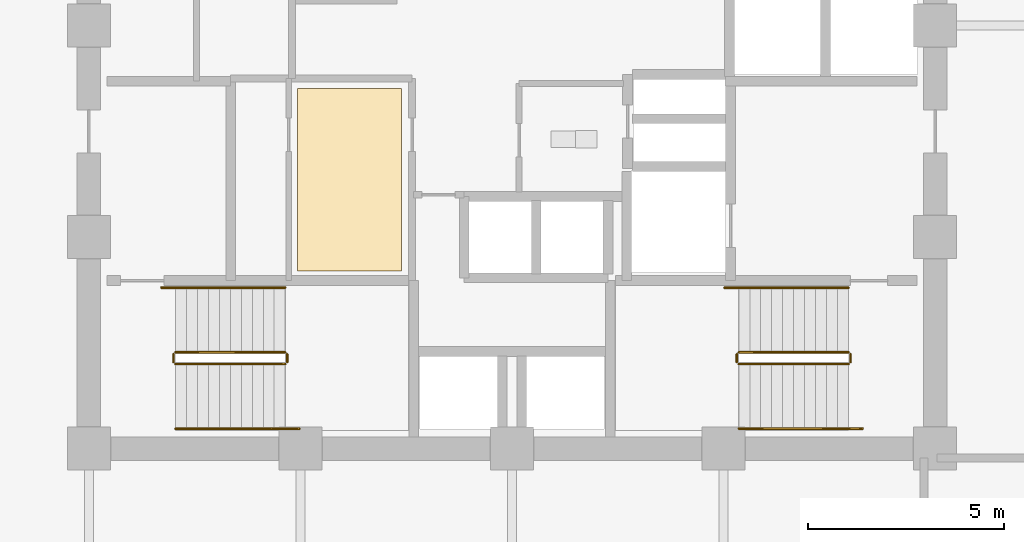
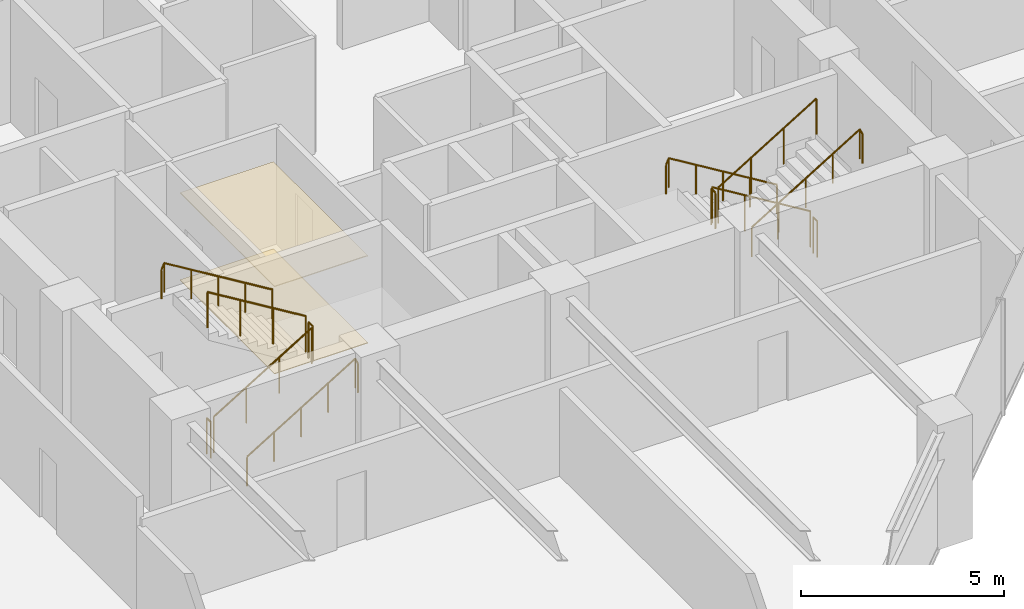
# One storey, part 26 of 29: 12 railings, 2 coverings.
"""IFC4 building model written with IfcOpenShell, lengths in metres."""

from ifc_helpers import new_model, si_unit, direction, frame, origin, origin_2d, place, context, subcontext, project, spatial, polyline, circle, outline, extrude, material, layer, layer_set, type_object, element, save


model = new_model("IFC4")

# Units and contexts
model_context = context("Model", 3, precision=1e-05, world=origin(), true_north=direction((0.0, 1.0)))
body_context = subcontext(model_context, "Body", "Model", "MODEL_VIEW")
ifc_project = project(units=[si_unit("LENGTHUNIT", "METRE"), si_unit("AREAUNIT", "SQUARE_METRE"), si_unit("VOLUMEUNIT", "CUBIC_METRE"), si_unit("PLANEANGLEUNIT", "RADIAN"), si_unit("MASSUNIT", "GRAM", prefix="KILO")], contexts=[model_context])

# Site, building, storey
site_placement = place(None, origin())
site = spatial("IfcSite", under=ifc_project, at=site_placement, CompositionType="ELEMENT")
building_placement = place(site_placement, origin())
building = spatial("IfcBuilding", under=site, at=building_placement, Name="Surkhivell Harbour Commons", CompositionType="ELEMENT")
storey_placement = place(building_placement, frame((0.0, 0.0, 158.25)))
storey = spatial("IfcBuildingStorey", under=building, at=storey_placement, Name="L41", CompositionType="ELEMENT", Elevation=158.25)

# Coverings
ifc_material_1 = material(Name="Perforated acoustic mineral-fibre ceiling tile", Category="other")
ifc_layer_1 = layer(ifc_material_1, 0.02490234375)
ifc_layer_set_1 = layer_set([ifc_layer_1], Name="Perforated acoustic mineral-fibre ceiling tile")
covering_type_1 = type_object("IfcCoveringType", Name="COV-CEIL-AC", PredefinedType="CEILING", material=ifc_layer_set_1)
covering_1_placement = place(storey_placement, frame((0.0, 0.0, 2.6240234375)))
element("IfcCovering", 1, at=covering_1_placement, inside=storey, type_object=covering_type_1, Name="L41 Suspended Acoustic Ceiling 1", PredefinedType="CEILING", context=body_context, shape_type="SweptSolid", body=[
    extrude(outline(polyline([(-5.47998046875, -6.260009765625), (-2.820068359375, -6.260009765625), (-2.820068359375, -1.60009765625), (-5.47998046875, -1.60009765625), (-5.47998046875, -6.260009765625)])), origin(), (0.0, 0.0, 1.0), 0.02490234375),
])
ifc_material_2 = material(Name="Engineered acoustic oak timber flooring", Category="wood")
ifc_layer_2 = layer(ifc_material_2, 0.02001953125)
ifc_layer_set_2 = layer_set([ifc_layer_2], Name="Engineered acoustic oak timber flooring")
covering_type_2 = type_object("IfcCoveringType", Name="COV-FLR-TIM", PredefinedType="FLOORING", material=ifc_layer_set_2)
covering_2_placement = place(storey_placement, origin())
element("IfcCovering", 2, at=covering_2_placement, inside=storey, type_object=covering_type_2, Name="L41 Interior Floor Finish 1", PredefinedType="FLOORING", context=body_context, shape_type="SweptSolid", body=[
    extrude(outline(polyline([(-5.47998046875, -6.260009765625), (-2.820068359375, -6.260009765625), (-2.820068359375, -1.60009765625), (-5.47998046875, -1.60009765625), (-5.47998046875, -6.260009765625)])), origin(), (0.0, 0.0, 1.0), 0.02001953125),
])

# Railings
ifc_material_3 = material(Name="Galvanised and painted steel S355 guard rail", Category="steel")
railing_type_1 = type_object("IfcRailingType", Name="RAL-ST-GRD1100", PredefinedType="GUARDRAIL", material=ifc_material_3)
railing_1_placement = place(storey_placement, frame((8.590087890625, -8.340087890625, 0.17041015625)))
element("IfcRailing", 3, at=railing_1_placement, inside=storey, type_object=railing_type_1, Name="L41 ST2 stair guard 1", PredefinedType="GUARDRAIL", context=body_context, shape_type="SweptSolid", body=[
    extrude(circle(Radius=0.02392578125, at=origin_2d()), frame((0.0, 0.0, 1.076171875), z_axis=(-0.854169791009, 0.0, 0.51999420009), x_axis=(0.0, -1.0, 0.0)), (0.0, 0.0, 1.0), 3.278076171875),
    extrude(circle(Radius=0.02099609375, at=origin_2d()), origin(), (0.0, 0.0, 1.0), 1.052001953125),
    extrude(circle(Radius=0.02099609375, at=origin_2d()), frame((-0.933349609375, 0.0, 0.568115234375)), (0.0, 0.0, 1.0), 1.052001953125),
    extrude(circle(Radius=0.02099609375, at=origin_2d()), frame((-1.86669921875, 0.0, 1.136474609375)), (0.0, 0.0, 1.0), 1.052001953125),
    extrude(circle(Radius=0.02099609375, at=origin_2d()), frame((-2.800048828125, 0.0, 1.70458984375)), (0.0, 0.0, 1.0), 1.052001953125),
])
railing_2_placement = place(storey_placement, frame((5.739990234375, -8.389892578125, 1.875)))
element("IfcRailing", 4, at=railing_2_placement, inside=storey, type_object=railing_type_1, Name="L41 ST2 stair guard 2", PredefinedType="GUARDRAIL", context=body_context, shape_type="SweptSolid", body=[
    extrude(circle(Radius=0.02392578125, at=origin_2d()), frame((0.0, 0.0, 1.076171875), z_axis=(0.0, -1.0, 0.0), x_axis=(1.0, 0.0, 0.0)), (0.0, 0.0, 1.0), 0.2001953125),
    extrude(circle(Radius=0.02099609375, at=origin_2d()), origin(), (0.0, 0.0, 1.0), 1.052001953125),
    extrude(circle(Radius=0.02099609375, at=origin_2d()), frame((0.0, -0.2001953125, 0.0)), (0.0, 0.0, 1.0), 1.052001953125),
])
railing_3_placement = place(storey_placement, frame((5.7900390625, -8.639892578125, 2.04541015625)))
element("IfcRailing", 5, at=railing_3_placement, inside=storey, type_object=railing_type_1, Name="L41 ST2 stair guard 3", PredefinedType="GUARDRAIL", context=body_context, shape_type="SweptSolid", body=[
    extrude(circle(Radius=0.02392578125, at=origin_2d()), frame((0.0, 0.0, 1.076171875), z_axis=(0.854169791009, 0.0, 0.51999420009), x_axis=(0.0, 1.0, 0.0)), (0.0, 0.0, 1.0), 3.278076171875),
    extrude(circle(Radius=0.02099609375, at=origin_2d()), origin(), (0.0, 0.0, 1.0), 1.052001953125),
    extrude(circle(Radius=0.02099609375, at=origin_2d()), frame((0.933349609375, 0.0, 0.568115234375)), (0.0, 0.0, 1.0), 1.052001953125),
    extrude(circle(Radius=0.02099609375, at=origin_2d()), frame((1.86669921875, 0.0, 1.136474609375)), (0.0, 0.0, 1.0), 1.052001953125),
    extrude(circle(Radius=0.02099609375, at=origin_2d()), frame((2.800048828125, 0.0, 1.70458984375)), (0.0, 0.0, 1.0), 1.052001953125),
])
railing_4_placement = place(storey_placement, frame((8.639892578125, -8.389892578125, 0.0)))
element("IfcRailing", 6, at=railing_4_placement, inside=storey, type_object=railing_type_1, Name="L41 ST2 stair guard 4", PredefinedType="GUARDRAIL", context=body_context, shape_type="SweptSolid", body=[
    extrude(circle(Radius=0.02392578125, at=origin_2d()), frame((0.0, 0.0, 1.076171875), z_axis=(0.0, -1.0, 0.0), x_axis=(1.0, 0.0, 0.0)), (0.0, 0.0, 1.0), 0.2001953125),
    extrude(circle(Radius=0.02099609375, at=origin_2d()), origin(), (0.0, 0.0, 1.0), 1.052001953125),
    extrude(circle(Radius=0.02099609375, at=origin_2d()), frame((0.0, -0.2001953125, 0.0)), (0.0, 0.0, 1.0), 1.052001953125),
])
railing_5_placement = place(storey_placement, frame((-8.590087890625, -8.639892578125, 0.17041015625)))
element("IfcRailing", 7, at=railing_5_placement, inside=storey, type_object=railing_type_1, Name="L41 ST3 stair guard 1", PredefinedType="GUARDRAIL", context=body_context, shape_type="SweptSolid", body=[
    extrude(circle(Radius=0.02392578125, at=origin_2d()), frame((0.0, 0.0, 1.076171875), z_axis=(0.854169791009, 0.0, 0.51999420009), x_axis=(0.0, 1.0, 0.0)), (0.0, 0.0, 1.0), 3.278076171875),
    extrude(circle(Radius=0.02099609375, at=origin_2d()), origin(), (0.0, 0.0, 1.0), 1.052001953125),
    extrude(circle(Radius=0.02099609375, at=origin_2d()), frame((0.933349609375, 0.0, 0.568115234375)), (0.0, 0.0, 1.0), 1.052001953125),
    extrude(circle(Radius=0.02099609375, at=origin_2d()), frame((1.86669921875, 0.0, 1.136474609375)), (0.0, 0.0, 1.0), 1.052001953125),
    extrude(circle(Radius=0.02099609375, at=origin_2d()), frame((2.800048828125, 0.0, 1.70458984375)), (0.0, 0.0, 1.0), 1.052001953125),
])
railing_6_placement = place(storey_placement, frame((-5.739990234375, -8.590087890625, 1.875)))
element("IfcRailing", 8, at=railing_6_placement, inside=storey, type_object=railing_type_1, Name="L41 ST3 stair guard 2", PredefinedType="GUARDRAIL", context=body_context, shape_type="SweptSolid", body=[
    extrude(circle(Radius=0.02392578125, at=origin_2d()), frame((0.0, 0.0, 1.076171875), z_axis=(0.0, 1.0, 0.0), x_axis=(-1.0, 0.0, 0.0)), (0.0, 0.0, 1.0), 0.2001953125),
    extrude(circle(Radius=0.02099609375, at=origin_2d()), origin(), (0.0, 0.0, 1.0), 1.052001953125),
    extrude(circle(Radius=0.02099609375, at=origin_2d()), frame((0.0, 0.2001953125, 0.0)), (0.0, 0.0, 1.0), 1.052001953125),
])
railing_7_placement = place(storey_placement, frame((-5.7900390625, -8.340087890625, 2.04541015625)))
element("IfcRailing", 9, at=railing_7_placement, inside=storey, type_object=railing_type_1, Name="L41 ST3 stair guard 3", PredefinedType="GUARDRAIL", context=body_context, shape_type="SweptSolid", body=[
    extrude(circle(Radius=0.02392578125, at=origin_2d()), frame((0.0, 0.0, 1.076171875), z_axis=(-0.854169791009, 0.0, 0.51999420009), x_axis=(0.0, -1.0, 0.0)), (0.0, 0.0, 1.0), 3.278076171875),
    extrude(circle(Radius=0.02099609375, at=origin_2d()), origin(), (0.0, 0.0, 1.0), 1.052001953125),
    extrude(circle(Radius=0.02099609375, at=origin_2d()), frame((-0.933349609375, 0.0, 0.568115234375)), (0.0, 0.0, 1.0), 1.052001953125),
    extrude(circle(Radius=0.02099609375, at=origin_2d()), frame((-1.86669921875, 0.0, 1.136474609375)), (0.0, 0.0, 1.0), 1.052001953125),
    extrude(circle(Radius=0.02099609375, at=origin_2d()), frame((-2.800048828125, 0.0, 1.70458984375)), (0.0, 0.0, 1.0), 1.052001953125),
])
railing_8_placement = place(storey_placement, frame((-8.639892578125, -8.590087890625, 0.0)))
element("IfcRailing", 10, at=railing_8_placement, inside=storey, type_object=railing_type_1, Name="L41 ST3 stair guard 4", PredefinedType="GUARDRAIL", context=body_context, shape_type="SweptSolid", body=[
    extrude(circle(Radius=0.02392578125, at=origin_2d()), frame((0.0, 0.0, 1.076171875), z_axis=(0.0, 1.0, 0.0), x_axis=(-1.0, 0.0, 0.0)), (0.0, 0.0, 1.0), 0.2001953125),
    extrude(circle(Radius=0.02099609375, at=origin_2d()), origin(), (0.0, 0.0, 1.0), 1.052001953125),
    extrude(circle(Radius=0.02099609375, at=origin_2d()), frame((0.0, 0.2001953125, 0.0)), (0.0, 0.0, 1.0), 1.052001953125),
])
ifc_material_4 = material(Name="Brushed stainless steel S355 handrail", Category="steel")
railing_type_2 = type_object("IfcRailingType", Name="RAL-ST-HND900", PredefinedType="HANDRAIL", material=ifc_material_4)
railing_9_placement = place(storey_placement, frame((8.590087890625, -6.68994140625, 0.17041015625)))
element("IfcRailing", 11, at=railing_9_placement, inside=storey, type_object=railing_type_2, Name="L41 ST2 stair handrail 1", PredefinedType="HANDRAIL", context=body_context, shape_type="SweptSolid", body=[
    extrude(circle(Radius=0.02392578125, at=origin_2d()), frame((0.0, 0.0, 0.8759765625), z_axis=(-0.854177636135, 0.0, 0.519981313056), x_axis=(0.0, -1.0, 0.0)), (0.0, 0.0, 1.0), 3.60595703125),
    extrude(circle(Radius=0.02392578125, at=origin_2d()), frame((-3.080078125, 0.0, 2.7509765625), z_axis=(-0.425297416671, 0.0, -0.905053648892), x_axis=(0.0, -1.0, 0.0)), (0.0, 0.0, 1.0), 0.188232421875),
    extrude(circle(Radius=0.02099609375, at=origin_2d()), origin(), (0.0, 0.0, 1.0), 0.851806640625),
    extrude(circle(Radius=0.02099609375, at=origin_2d()), frame((-0.77001953125, 0.0, 0.46875)), (0.0, 0.0, 1.0), 0.851806640625),
    extrude(circle(Radius=0.02099609375, at=origin_2d()), frame((-1.5400390625, 0.0, 0.9375)), (0.0, 0.0, 1.0), 0.851806640625),
    extrude(circle(Radius=0.02099609375, at=origin_2d()), frame((-2.31005859375, 0.0, 1.40625)), (0.0, 0.0, 1.0), 0.851806640625),
    extrude(circle(Radius=0.02099609375, at=origin_2d()), frame((-3.080078125, 0.0, 1.875)), (0.0, 0.0, 1.0), 0.851806640625),
    extrude(circle(Radius=0.02099609375, at=origin_2d()), frame((-3.16015625, 0.0, 1.70458984375)), (0.0, 0.0, 1.0), 0.851806640625),
])
railing_10_placement = place(storey_placement, frame((5.7900390625, -10.2900390625, 2.04541015625)))
element("IfcRailing", 12, at=railing_10_placement, inside=storey, type_object=railing_type_2, Name="L41 ST2 stair handrail 2", PredefinedType="HANDRAIL", context=body_context, shape_type="SweptSolid", body=[
    extrude(circle(Radius=0.02392578125, at=origin_2d()), frame((0.0, 0.0, 0.8759765625), z_axis=(0.854177636135, 0.0, 0.519981313056), x_axis=(0.0, 1.0, 0.0)), (0.0, 0.0, 1.0), 3.60595703125),
    extrude(circle(Radius=0.02392578125, at=origin_2d()), frame((3.080078125, 0.0, 2.7509765625), z_axis=(0.424234432967, 0.0, -0.905552398199), x_axis=(0.0, 1.0, 0.0)), (0.0, 0.0, 1.0), 0.188232421875),
    extrude(circle(Radius=0.02099609375, at=origin_2d()), origin(), (0.0, 0.0, 1.0), 0.851806640625),
    extrude(circle(Radius=0.02099609375, at=origin_2d()), frame((0.77001953125, 0.0, 0.46875)), (0.0, 0.0, 1.0), 0.851806640625),
    extrude(circle(Radius=0.02099609375, at=origin_2d()), frame((1.5400390625, 0.0, 0.9375)), (0.0, 0.0, 1.0), 0.851806640625),
    extrude(circle(Radius=0.02099609375, at=origin_2d()), frame((2.31005859375, 0.0, 1.40625)), (0.0, 0.0, 1.0), 0.851806640625),
    extrude(circle(Radius=0.02099609375, at=origin_2d()), frame((3.080078125, 0.0, 1.875)), (0.0, 0.0, 1.0), 0.851806640625),
    extrude(circle(Radius=0.02099609375, at=origin_2d()), frame((3.159912109375, 0.0, 1.70458984375)), (0.0, 0.0, 1.0), 0.851806640625),
])
railing_11_placement = place(storey_placement, frame((-8.590087890625, -10.2900390625, 0.17041015625)))
element("IfcRailing", 13, at=railing_11_placement, inside=storey, type_object=railing_type_2, Name="L41 ST3 stair handrail 1", PredefinedType="HANDRAIL", context=body_context, shape_type="SweptSolid", body=[
    extrude(circle(Radius=0.02392578125, at=origin_2d()), frame((0.0, 0.0, 0.8759765625), z_axis=(0.854177636135, 0.0, 0.519981313056), x_axis=(0.0, 1.0, 0.0)), (0.0, 0.0, 1.0), 3.60595703125),
    extrude(circle(Radius=0.02392578125, at=origin_2d()), frame((3.080078125, 0.0, 2.7509765625), z_axis=(0.425297416671, 0.0, -0.905053648892), x_axis=(0.0, 1.0, 0.0)), (0.0, 0.0, 1.0), 0.188232421875),
    extrude(circle(Radius=0.02099609375, at=origin_2d()), origin(), (0.0, 0.0, 1.0), 0.851806640625),
    extrude(circle(Radius=0.02099609375, at=origin_2d()), frame((0.77001953125, 0.0, 0.46875)), (0.0, 0.0, 1.0), 0.851806640625),
    extrude(circle(Radius=0.02099609375, at=origin_2d()), frame((1.5400390625, 0.0, 0.9375)), (0.0, 0.0, 1.0), 0.851806640625),
    extrude(circle(Radius=0.02099609375, at=origin_2d()), frame((2.31005859375, 0.0, 1.40625)), (0.0, 0.0, 1.0), 0.851806640625),
    extrude(circle(Radius=0.02099609375, at=origin_2d()), frame((3.080078125, 0.0, 1.875)), (0.0, 0.0, 1.0), 0.851806640625),
    extrude(circle(Radius=0.02099609375, at=origin_2d()), frame((3.16015625, 0.0, 1.70458984375)), (0.0, 0.0, 1.0), 0.851806640625),
])
railing_12_placement = place(storey_placement, frame((-5.7900390625, -6.68994140625, 2.04541015625)))
element("IfcRailing", 14, at=railing_12_placement, inside=storey, type_object=railing_type_2, Name="L41 ST3 stair handrail 2", PredefinedType="HANDRAIL", context=body_context, shape_type="SweptSolid", body=[
    extrude(circle(Radius=0.02392578125, at=origin_2d()), frame((0.0, 0.0, 0.8759765625), z_axis=(-0.854177636135, 0.0, 0.519981313056), x_axis=(0.0, -1.0, 0.0)), (0.0, 0.0, 1.0), 3.60595703125),
    extrude(circle(Radius=0.02392578125, at=origin_2d()), frame((-3.080078125, 0.0, 2.7509765625), z_axis=(-0.424234432967, 0.0, -0.905552398199), x_axis=(0.0, -1.0, 0.0)), (0.0, 0.0, 1.0), 0.188232421875),
    extrude(circle(Radius=0.02099609375, at=origin_2d()), origin(), (0.0, 0.0, 1.0), 0.851806640625),
    extrude(circle(Radius=0.02099609375, at=origin_2d()), frame((-0.77001953125, 0.0, 0.46875)), (0.0, 0.0, 1.0), 0.851806640625),
    extrude(circle(Radius=0.02099609375, at=origin_2d()), frame((-1.5400390625, 0.0, 0.9375)), (0.0, 0.0, 1.0), 0.851806640625),
    extrude(circle(Radius=0.02099609375, at=origin_2d()), frame((-2.31005859375, 0.0, 1.40625)), (0.0, 0.0, 1.0), 0.851806640625),
    extrude(circle(Radius=0.02099609375, at=origin_2d()), frame((-3.080078125, 0.0, 1.875)), (0.0, 0.0, 1.0), 0.851806640625),
    extrude(circle(Radius=0.02099609375, at=origin_2d()), frame((-3.159912109375, 0.0, 1.70458984375)), (0.0, 0.0, 1.0), 0.851806640625),
])

save(model, "model.ifc")
